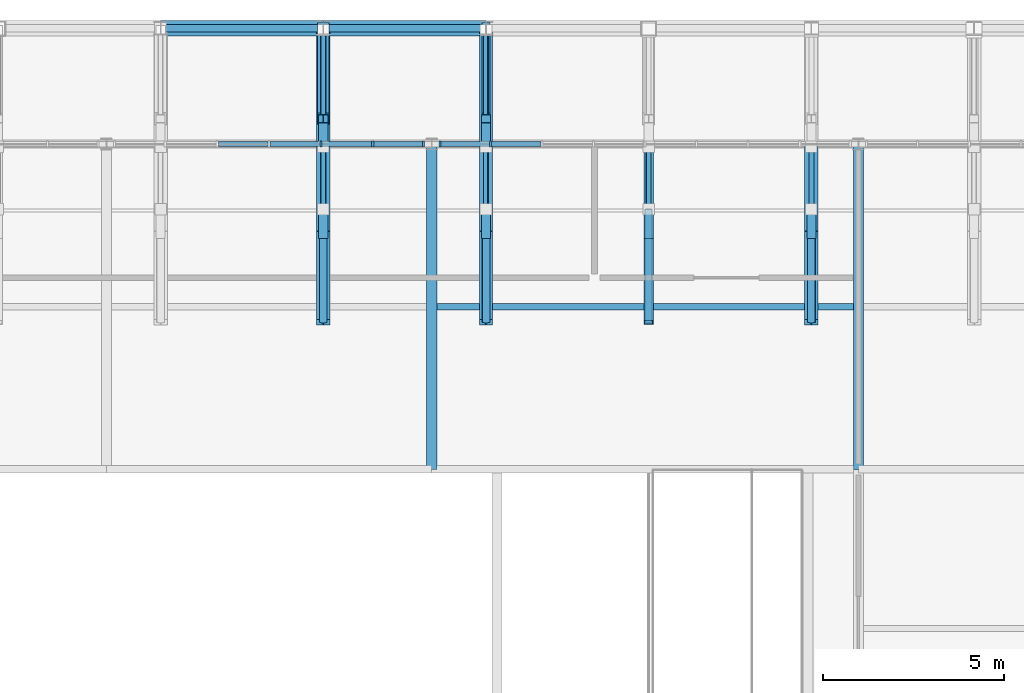
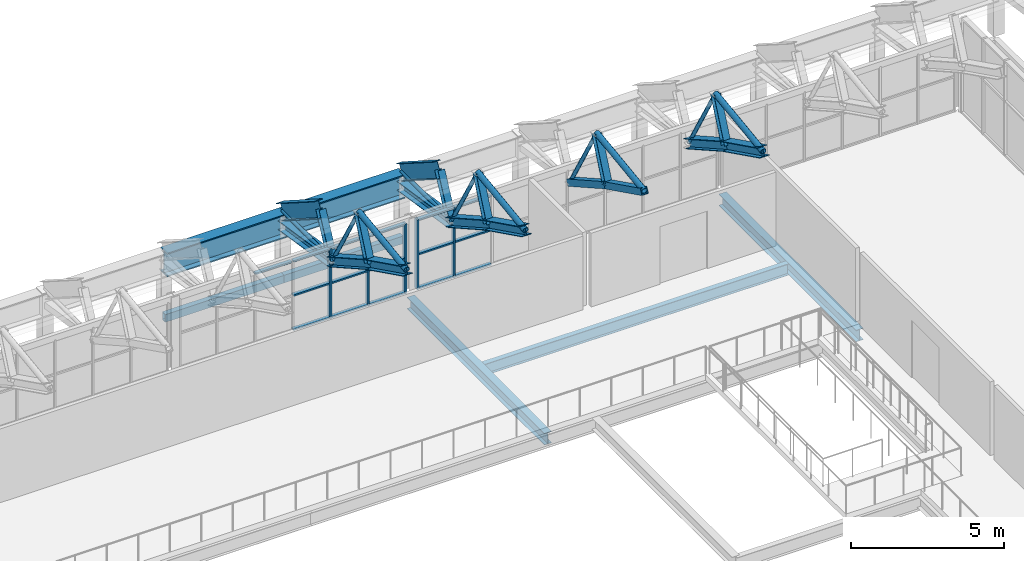
# One storey, part 85 of 134: 47 members, 9 beams, 2 elements without a shape of their own.
"""IFC4 building model written with IfcOpenShell, lengths in metres."""

from ifc_helpers import new_model, si_unit, direction, frame, origin, origin_2d, place, context, subcontext, project, spatial, rectangle, hollow_rectangle, hollow_circle, i_section, extrude, material, layer, layer_set, material_profile, profile_set, type_object, element, aggregate, save


model = new_model("IFC4")

# Units and contexts
model_context = context("Model", 3, precision=1e-05, world=origin(), true_north=direction((0.0, 1.0)))
body_context = subcontext(model_context, "Body", "Model", "MODEL_VIEW")
ifc_project = project(units=[si_unit("LENGTHUNIT", "METRE"), si_unit("AREAUNIT", "SQUARE_METRE"), si_unit("VOLUMEUNIT", "CUBIC_METRE"), si_unit("PLANEANGLEUNIT", "RADIAN"), si_unit("MASSUNIT", "GRAM", prefix="KILO")], contexts=[model_context])

# Site, building, storey
site_placement = place(None, origin())
site = spatial("IfcSite", under=ifc_project, at=site_placement, CompositionType="ELEMENT")
building_placement = place(site_placement, origin())
building = spatial("IfcBuilding", under=site, at=building_placement, Name="Cazmaro Siding Exhibition Halls", CompositionType="ELEMENT")
storey_placement = place(building_placement, frame((0.0, 0.0, 12.0)))
storey = spatial("IfcBuildingStorey", under=building, at=storey_placement, Name="L02", CompositionType="ELEMENT", Elevation=12.0)

# Beams
ifc_material_1 = material(Name="Steel ASTM A992 Grade 50", Category="steel")
ifc_material_profile_1 = material_profile(ifc_material_1, i_section(OverallWidth=0.324951171875, OverallDepth=0.612060546875, WebThickness=0.012939453125, FlangeThickness=0.01904296875, at=origin_2d()), Name="W24X104")
ifc_profile_set_1 = profile_set([ifc_material_profile_1], Name="Steel ASTM A992 Grade 50")
beam_type_1 = type_object("IfcBeamType", Name="AR-02", PredefinedType="USERDEFINED", material=ifc_profile_set_1)
beam_1_placement = place(storey_placement, frame((144.0, 121.5, 3.89306640625), z_axis=(0.0, 0.843339173298, -0.537381650954), x_axis=(-1.0, 0.0, 0.0)))
element("IfcBeam", 1, at=beam_1_placement, inside=storey, type_object=beam_type_1, Name="Space frame barrel vault arched rib AR-02 BM-1086", ObjectType="ARCHED RIB", PredefinedType="USERDEFINED", context=body_context, shape_type="SweptSolid", body=[
    extrude(i_section(OverallWidth=0.324951171875, OverallDepth=0.612060546875, WebThickness=0.012939453125, FlangeThickness=0.01904296875, at=origin_2d()), origin(), (0.0, 0.0, 1.0), 2.96435546875),
])
ifc_material_2 = material(Name="Steel ASTM A992 Grade 50", Category="steel")
ifc_material_profile_2 = material_profile(ifc_material_2, i_section(OverallWidth=0.22900390625, OverallDepth=0.612060546875, WebThickness=0.011962890625, FlangeThickness=0.02001953125, at=origin_2d()), Name="W24X84")
ifc_profile_set_2 = profile_set([ifc_material_profile_2], Name="Steel ASTM A992 Grade 50")
beam_type_2 = type_object("IfcBeamType", Name="AR-03", PredefinedType="USERDEFINED", material=ifc_profile_set_2)
beam_2_placement = place(storey_placement, frame((148.5, 121.5, 3.89306640625), z_axis=(0.0, 0.843339173298, -0.537381650954), x_axis=(-1.0, 0.0, 0.0)))
element("IfcBeam", 2, at=beam_2_placement, inside=storey, type_object=beam_type_2, Name="Space frame barrel vault arched rib AR-03 BM-1110", ObjectType="ARCHED RIB", PredefinedType="USERDEFINED", context=body_context, shape_type="SweptSolid", body=[
    extrude(i_section(OverallWidth=0.22900390625, OverallDepth=0.612060546875, WebThickness=0.011962890625, FlangeThickness=0.02001953125, at=origin_2d()), origin(), (0.0, 0.0, 1.0), 2.96435546875),
])
ifc_material_3 = material(Name="Steel ASTM A992 Grade 50", Category="steel")
ifc_material_profile_3 = material_profile(ifc_material_3, i_section(OverallWidth=0.279052734375, OverallDepth=0.4619140625, WebThickness=0.010986328125, FlangeThickness=0.01708984375, at=origin_2d()), Name="W18X76")
ifc_profile_set_3 = profile_set([ifc_material_profile_3], Name="Steel ASTM A992 Grade 50")
beam_type_3 = type_object("IfcBeamType", Name="B-03", PredefinedType="BEAM", material=ifc_profile_set_3)
for number, where, z_axis, x_axis, name in (
    (3, (147.0, 111.800048828125, -0.450927734375), (0.0, 1.0, 0.0), (-1.0, 0.0, 0.0), "Beam B-03 BM-0448"),
    (4, (158.800048828125, 111.800048828125, -0.450927734375), (0.0, 1.0, 0.0), (-1.0, 0.0, 0.0), "Beam B-03 BM-0449"),
):
    element("IfcBeam", number, at=place(storey_placement, frame(where, z_axis=z_axis, x_axis=x_axis)), inside=storey, type_object=beam_type_3, Name=name, PredefinedType="BEAM", context=body_context, shape_type="SweptSolid", body=[
        extrude(i_section(OverallWidth=0.279052734375, OverallDepth=0.4619140625, WebThickness=0.010986328125, FlangeThickness=0.01708984375, at=origin_2d()), origin(), (0.0, 0.0, 1.0), 9.0),
    ])

# Curtain wall, members
ifc_material_4 = material(Name="Anodized Bronze Aluminum and Solar-Control Low-E Glazing", Category="aluminium")
ifc_layer = layer(ifc_material_4, 0.159912109375)
ifc_layer_set = layer_set([ifc_layer], Name="Anodized Bronze Aluminum and Solar-Control Low-E Glazing")
curtain_wall_type = type_object("IfcCurtainWallType", Name="CWS-04", PredefinedType="USERDEFINED", material=ifc_layer_set)
curtain_wall_1_placement = place(storey_placement, origin())
curtain_wall_1 = element("IfcCurtainWall", 5, at=curtain_wall_1_placement, inside=storey, type_object=curtain_wall_type, Name="Clerestory Curtain Wall CWS-04 CW-042", ObjectType="CLERESTORY CURTAIN WALL", PredefinedType="USERDEFINED")
ifc_material_5 = material(Name="Anodized Bronze Extruded Aluminum", Category="aluminium")
ifc_material_profile_4 = material_profile(ifc_material_5, rectangle(XDim=0.159912109375, YDim=0.06005859375, at=origin_2d()), Name="CWM-04")
ifc_profile_set_4 = profile_set([ifc_material_profile_4], Name="Anodized Bronze Extruded Aluminum")
member_type_1 = type_object("IfcMemberType", Name="CWM-04", PredefinedType="MULLION", material=ifc_profile_set_4)
member_1_placement = place(storey_placement, frame((146.77294921875, 120.800048828125, 0.0), z_axis=(0.0, 0.0, 1.0), x_axis=(0.0, -1.0, 0.0)))
member_1 = element("IfcMember", 6, at=member_1_placement, type_object=member_type_1, Name="CWS-04 mullion 1", PredefinedType="MULLION", context=body_context, shape_type="SweptSolid", body=[
    extrude(rectangle(XDim=0.159912109375, YDim=0.06005859375, at=origin_2d()), origin(), (0.0, 0.0, 1.0), 2.800048828125),
])
member_2_placement = place(storey_placement, frame((145.36865234375, 120.800048828125, 0.0), z_axis=(0.0, 0.0, 1.0), x_axis=(0.0, -1.0, 0.0)))
member_2 = element("IfcMember", 7, at=member_2_placement, type_object=member_type_1, Name="CWS-04 mullion 2", PredefinedType="MULLION", context=body_context, shape_type="SweptSolid", body=[
    extrude(rectangle(XDim=0.159912109375, YDim=0.06005859375, at=origin_2d()), origin(), (0.0, 0.0, 1.0), 2.800048828125),
])
member_3_placement = place(storey_placement, frame((143.934326171875, 120.800048828125, 0.0), z_axis=(0.0, 0.0, 1.0), x_axis=(0.0, -1.0, 0.0)))
member_3 = element("IfcMember", 8, at=member_3_placement, type_object=member_type_1, Name="CWS-04 mullion 3", PredefinedType="MULLION", context=body_context, shape_type="SweptSolid", body=[
    extrude(rectangle(XDim=0.159912109375, YDim=0.06005859375, at=origin_2d()), origin(), (0.0, 0.0, 1.0), 2.800048828125),
])

curtain_wall_2_placement = place(storey_placement, origin())
curtain_wall_2 = element("IfcCurtainWall", 9, at=curtain_wall_2_placement, inside=storey, type_object=curtain_wall_type, Name="Clerestory Curtain Wall CWS-04 CW-047", ObjectType="CLERESTORY CURTAIN WALL", PredefinedType="USERDEFINED")
member_4_placement = place(storey_placement, frame((148.622802734375, 120.800048828125, 0.0), z_axis=(0.0, 0.0, 1.0), x_axis=(0.0, -1.0, 0.0)))
member_4 = element("IfcMember", 10, at=member_4_placement, type_object=member_type_1, Name="CWS-04 mullion 8", PredefinedType="MULLION", context=body_context, shape_type="SweptSolid", body=[
    extrude(rectangle(XDim=0.159912109375, YDim=0.06005859375, at=origin_2d()), origin(), (0.0, 0.0, 1.0), 2.800048828125),
])
member_5_placement = place(storey_placement, frame((147.22705078125, 120.800048828125, 0.0), z_axis=(0.0, 0.0, 1.0), x_axis=(0.0, -1.0, 0.0)))
member_5 = element("IfcMember", 11, at=member_5_placement, type_object=member_type_1, Name="CWS-04 mullion 9", PredefinedType="MULLION", context=body_context, shape_type="SweptSolid", body=[
    extrude(rectangle(XDim=0.159912109375, YDim=0.06005859375, at=origin_2d()), origin(), (0.0, 0.0, 1.0), 2.800048828125),
])

# Member
ifc_material_6 = material(Name="Anodized Bronze Extruded Aluminum", Category="aluminium")
ifc_material_profile_5 = material_profile(ifc_material_6, rectangle(XDim=0.139892578125, YDim=0.06005859375, at=origin_2d()), Name="CWT-04")
ifc_profile_set_5 = profile_set([ifc_material_profile_5], Name="Anodized Bronze Extruded Aluminum")
member_type_2 = type_object("IfcMemberType", Name="CWT-04", PredefinedType="MULLION", material=ifc_profile_set_5)
member_6_placement = place(storey_placement, frame((146.742919921875, 120.800048828125, 0.030029296875), z_axis=(-1.0, 0.0, 0.0), x_axis=(0.0, -1.0, 0.0)))
member_6 = element("IfcMember", 12, at=member_6_placement, type_object=member_type_2, Name="CWS-04 transom 1.1", ObjectType="TRANSOM", PredefinedType="USERDEFINED", context=body_context, shape_type="SweptSolid", body=[
    extrude(rectangle(XDim=0.139892578125, YDim=0.06005859375, at=origin_2d()), origin(), (0.0, 0.0, 1.0), 1.34423828125),
])

member_7_placement = place(storey_placement, frame((146.742919921875, 120.800048828125, 1.39990234375), z_axis=(-1.0, 0.0, 0.0), x_axis=(0.0, -1.0, 0.0)))
member_7 = element("IfcMember", 13, at=member_7_placement, type_object=member_type_2, Name="CWS-04 transom 1.2", ObjectType="TRANSOM", PredefinedType="USERDEFINED", context=body_context, shape_type="SweptSolid", body=[
    extrude(rectangle(XDim=0.139892578125, YDim=0.06005859375, at=origin_2d()), origin(), (0.0, 0.0, 1.0), 1.34423828125),
])

member_8_placement = place(storey_placement, frame((146.742919921875, 120.800048828125, 2.77001953125), z_axis=(-1.0, 0.0, 0.0), x_axis=(0.0, -1.0, 0.0)))
member_8 = element("IfcMember", 14, at=member_8_placement, type_object=member_type_2, Name="CWS-04 transom 1.3", ObjectType="TRANSOM", PredefinedType="USERDEFINED", context=body_context, shape_type="SweptSolid", body=[
    extrude(rectangle(XDim=0.139892578125, YDim=0.06005859375, at=origin_2d()), origin(), (0.0, 0.0, 1.0), 1.34423828125),
])

member_9_placement = place(storey_placement, frame((145.338623046875, 120.800048828125, 0.030029296875), z_axis=(-1.0, 0.0, 0.0), x_axis=(0.0, -1.0, 0.0)))
member_9 = element("IfcMember", 15, at=member_9_placement, type_object=member_type_2, Name="CWS-04 transom 2.1", ObjectType="TRANSOM", PredefinedType="USERDEFINED", context=body_context, shape_type="SweptSolid", body=[
    extrude(rectangle(XDim=0.139892578125, YDim=0.06005859375, at=origin_2d()), origin(), (0.0, 0.0, 1.0), 1.374267578125),
])

member_10_placement = place(storey_placement, frame((145.338623046875, 120.800048828125, 1.39990234375), z_axis=(-1.0, 0.0, 0.0), x_axis=(0.0, -1.0, 0.0)))
member_10 = element("IfcMember", 16, at=member_10_placement, type_object=member_type_2, Name="CWS-04 transom 2.2", ObjectType="TRANSOM", PredefinedType="USERDEFINED", context=body_context, shape_type="SweptSolid", body=[
    extrude(rectangle(XDim=0.139892578125, YDim=0.06005859375, at=origin_2d()), origin(), (0.0, 0.0, 1.0), 1.374267578125),
])

member_11_placement = place(storey_placement, frame((145.338623046875, 120.800048828125, 2.77001953125), z_axis=(-1.0, 0.0, 0.0), x_axis=(0.0, -1.0, 0.0)))
member_11 = element("IfcMember", 17, at=member_11_placement, type_object=member_type_2, Name="CWS-04 transom 2.3", ObjectType="TRANSOM", PredefinedType="USERDEFINED", context=body_context, shape_type="SweptSolid", body=[
    extrude(rectangle(XDim=0.139892578125, YDim=0.06005859375, at=origin_2d()), origin(), (0.0, 0.0, 1.0), 1.374267578125),
])

member_12_placement = place(storey_placement, frame((143.904296875, 120.800048828125, 0.030029296875), z_axis=(-1.0, 0.0, 0.0), x_axis=(0.0, -1.0, 0.0)))
member_12 = element("IfcMember", 18, at=member_12_placement, type_object=member_type_2, Name="CWS-04 transom 3.1", ObjectType="TRANSOM", PredefinedType="USERDEFINED", context=body_context, shape_type="SweptSolid", body=[
    extrude(rectangle(XDim=0.139892578125, YDim=0.06005859375, at=origin_2d()), origin(), (0.0, 0.0, 1.0), 1.374267578125),
])

member_13_placement = place(storey_placement, frame((143.904296875, 120.800048828125, 1.39990234375), z_axis=(-1.0, 0.0, 0.0), x_axis=(0.0, -1.0, 0.0)))
member_13 = element("IfcMember", 19, at=member_13_placement, type_object=member_type_2, Name="CWS-04 transom 3.2", ObjectType="TRANSOM", PredefinedType="USERDEFINED", context=body_context, shape_type="SweptSolid", body=[
    extrude(rectangle(XDim=0.139892578125, YDim=0.06005859375, at=origin_2d()), origin(), (0.0, 0.0, 1.0), 1.374267578125),
])

member_14_placement = place(storey_placement, frame((143.904296875, 120.800048828125, 2.77001953125), z_axis=(-1.0, 0.0, 0.0), x_axis=(0.0, -1.0, 0.0)))
member_14 = element("IfcMember", 20, at=member_14_placement, type_object=member_type_2, Name="CWS-04 transom 3.3", ObjectType="TRANSOM", PredefinedType="USERDEFINED", context=body_context, shape_type="SweptSolid", body=[
    extrude(rectangle(XDim=0.139892578125, YDim=0.06005859375, at=origin_2d()), origin(), (0.0, 0.0, 1.0), 1.374267578125),
])

member_15_placement = place(storey_placement, frame((142.469970703125, 120.800048828125, 2.77001953125), z_axis=(-1.0, 0.0, 0.0), x_axis=(0.0, -1.0, 0.0)))
member_15 = element("IfcMember", 21, at=member_15_placement, type_object=member_type_2, Name="CWS-04 transom 4.3", ObjectType="TRANSOM", PredefinedType="USERDEFINED", context=body_context, shape_type="SweptSolid", body=[
    extrude(rectangle(XDim=0.139892578125, YDim=0.06005859375, at=origin_2d()), origin(), (0.0, 0.0, 1.0), 1.374267578125),
])

aggregate(curtain_wall_1, [member_1, member_2, member_3, member_6, member_7, member_8, member_9, member_10, member_11, member_12, member_13, member_14, member_15])

member_16_placement = place(storey_placement, frame((150.0185546875, 120.800048828125, 0.030029296875), z_axis=(-1.0, 0.0, 0.0), x_axis=(0.0, -1.0, 0.0)))
member_16 = element("IfcMember", 22, at=member_16_placement, type_object=member_type_2, Name="CWS-04 transom 7.1", ObjectType="TRANSOM", PredefinedType="USERDEFINED", context=body_context, shape_type="SweptSolid", body=[
    extrude(rectangle(XDim=0.139892578125, YDim=0.06005859375, at=origin_2d()), origin(), (0.0, 0.0, 1.0), 1.36572265625),
])

member_17_placement = place(storey_placement, frame((150.0185546875, 120.800048828125, 1.39990234375), z_axis=(-1.0, 0.0, 0.0), x_axis=(0.0, -1.0, 0.0)))
member_17 = element("IfcMember", 23, at=member_17_placement, type_object=member_type_2, Name="CWS-04 transom 7.2", ObjectType="TRANSOM", PredefinedType="USERDEFINED", context=body_context, shape_type="SweptSolid", body=[
    extrude(rectangle(XDim=0.139892578125, YDim=0.06005859375, at=origin_2d()), origin(), (0.0, 0.0, 1.0), 1.36572265625),
])

member_18_placement = place(storey_placement, frame((150.0185546875, 120.800048828125, 2.77001953125), z_axis=(-1.0, 0.0, 0.0), x_axis=(0.0, -1.0, 0.0)))
member_18 = element("IfcMember", 24, at=member_18_placement, type_object=member_type_2, Name="CWS-04 transom 7.3", ObjectType="TRANSOM", PredefinedType="USERDEFINED", context=body_context, shape_type="SweptSolid", body=[
    extrude(rectangle(XDim=0.139892578125, YDim=0.06005859375, at=origin_2d()), origin(), (0.0, 0.0, 1.0), 1.36572265625),
])

member_19_placement = place(storey_placement, frame((148.5927734375, 120.800048828125, 0.030029296875), z_axis=(-1.0, 0.0, 0.0), x_axis=(0.0, -1.0, 0.0)))
member_19 = element("IfcMember", 25, at=member_19_placement, type_object=member_type_2, Name="CWS-04 transom 8.1", ObjectType="TRANSOM", PredefinedType="USERDEFINED", context=body_context, shape_type="SweptSolid", body=[
    extrude(rectangle(XDim=0.139892578125, YDim=0.06005859375, at=origin_2d()), origin(), (0.0, 0.0, 1.0), 1.335693359375),
])

member_20_placement = place(storey_placement, frame((148.5927734375, 120.800048828125, 1.39990234375), z_axis=(-1.0, 0.0, 0.0), x_axis=(0.0, -1.0, 0.0)))
member_20 = element("IfcMember", 26, at=member_20_placement, type_object=member_type_2, Name="CWS-04 transom 8.2", ObjectType="TRANSOM", PredefinedType="USERDEFINED", context=body_context, shape_type="SweptSolid", body=[
    extrude(rectangle(XDim=0.139892578125, YDim=0.06005859375, at=origin_2d()), origin(), (0.0, 0.0, 1.0), 1.335693359375),
])

member_21_placement = place(storey_placement, frame((148.5927734375, 120.800048828125, 2.77001953125), z_axis=(-1.0, 0.0, 0.0), x_axis=(0.0, -1.0, 0.0)))
member_21 = element("IfcMember", 27, at=member_21_placement, type_object=member_type_2, Name="CWS-04 transom 8.3", ObjectType="TRANSOM", PredefinedType="USERDEFINED", context=body_context, shape_type="SweptSolid", body=[
    extrude(rectangle(XDim=0.139892578125, YDim=0.06005859375, at=origin_2d()), origin(), (0.0, 0.0, 1.0), 1.335693359375),
])

aggregate(curtain_wall_2, [member_4, member_5, member_16, member_17, member_18, member_19, member_20, member_21])

# Beams
ifc_material_7 = material(Name="Steel ASTM A992 Grade 50", Category="steel")
ifc_material_profile_6 = material_profile(ifc_material_7, i_section(OverallWidth=0.424072265625, OverallDepth=0.947021484375, WebThickness=0.02392578125, FlangeThickness=0.04296875, at=origin_2d()), Name="W36X302")
ifc_profile_set_6 = profile_set([ifc_material_profile_6], Name="Steel ASTM A992 Grade 50")
beam_type_4 = type_object("IfcBeamType", Name="G-01", PredefinedType="USERDEFINED", material=ifc_profile_set_6)
for number, where, z_axis, x_axis, name in (
    (28, (139.5, 124.0, 1.826904296875), (1.0, 0.0, 0.0), (0.0, 1.0, 0.0), "Beam G-01 BM-0192"),
    (29, (144.0, 124.0, 1.826904296875), (1.0, 0.0, 0.0), (0.0, 1.0, 0.0), "Beam G-01 BM-0198"),
):
    element("IfcBeam", number, at=place(storey_placement, frame(where, z_axis=z_axis, x_axis=x_axis)), inside=storey, type_object=beam_type_4, Name=name, ObjectType="GIRDER", PredefinedType="USERDEFINED", context=body_context, shape_type="SweptSolid", body=[
        extrude(i_section(OverallWidth=0.424072265625, OverallDepth=0.947021484375, WebThickness=0.02392578125, FlangeThickness=0.04296875, at=origin_2d()), origin(), (0.0, 0.0, 1.0), 4.5),
    ])
ifc_material_8 = material(Name="Steel ASTM A992 Grade 50", Category="steel")
ifc_material_profile_7 = material_profile(ifc_material_8, i_section(OverallWidth=0.19091796875, OverallDepth=0.45703125, WebThickness=0.009033203125, FlangeThickness=0.013916015625, at=origin_2d()), Name="W18X50")
ifc_profile_set_7 = profile_set([ifc_material_profile_7], Name="Steel ASTM A992 Grade 50")
beam_type_5 = type_object("IfcBeamType", Name="J-01", PredefinedType="JOIST", material=ifc_profile_set_7)
beam_3_placement = place(storey_placement, frame((147.139892578125, 116.300048828125, -0.448974609375), z_axis=(1.0, 0.0, 0.0), x_axis=(0.0, 1.0, 0.0)))
element("IfcBeam", 30, at=beam_3_placement, inside=storey, type_object=beam_type_5, Name="Beam J-01 BM-0433", PredefinedType="JOIST", context=body_context, shape_type="SweptSolid", body=[
    extrude(i_section(OverallWidth=0.19091796875, OverallDepth=0.45703125, WebThickness=0.009033203125, FlangeThickness=0.013916015625, at=origin_2d()), origin(), (0.0, 0.0, 1.0), 11.52001953125),
])
ifc_material_9 = material(Name="Steel ASTM A500 Grade C", Category="steel")
ifc_material_profile_8 = material_profile(ifc_material_9, hollow_rectangle(XDim=0.202880859375, YDim=0.304931640625, WallThickness=0.011962890625, at=origin_2d()), Name="HSS12X8X1/2")
ifc_profile_set_8 = profile_set([ifc_material_profile_8], Name="Steel ASTM A500 Grade C")
beam_type_6 = type_object("IfcBeamType", Name="SP-01", PredefinedType="SPANDREL", material=ifc_profile_set_8)
for number, where, z_axis, x_axis, name in (
    (31, (139.5, 124.0, -0.373046875), (1.0, 0.0, 0.0), (0.0, 1.0, 0.0), "Beam SP-01 BM-0191"),
    (32, (144.0, 124.0, -0.373046875), (1.0, 0.0, 0.0), (0.0, 1.0, 0.0), "Beam SP-01 BM-0197"),
):
    element("IfcBeam", number, at=place(storey_placement, frame(where, z_axis=z_axis, x_axis=x_axis)), inside=storey, type_object=beam_type_6, Name=name, PredefinedType="SPANDREL", context=body_context, shape_type="SweptSolid", body=[
        extrude(hollow_rectangle(XDim=0.202880859375, YDim=0.304931640625, WallThickness=0.011962890625, at=origin_2d()), origin(), (0.0, 0.0, 1.0), 4.5),
    ])

# Members
ifc_material_10 = material(Name="Steel ASTM A500 Grade C", Category="steel")
ifc_material_profile_9 = material_profile(ifc_material_10, hollow_rectangle(XDim=0.25390625, YDim=0.25390625, WallThickness=0.014892578125, at=origin_2d()), Name="HSS10X10X5/8")
ifc_profile_set_9 = profile_set([ifc_material_profile_9], Name="Steel ASTM A500 Grade C")
member_type_3 = type_object("IfcMemberType", Name="TC-01", PredefinedType="CHORD", material=ifc_profile_set_9)
member_22_placement = place(storey_placement, frame((153.0, 115.868896484375, 4.87890625), z_axis=(0.0, 0.896077457924, -0.443897724033), x_axis=(-1.0, 0.0, 0.0)))
element("IfcMember", 33, at=member_22_placement, inside=storey, type_object=member_type_3, Name="Space frame barrel vault bottom chord TC-01 MEM-1699", PredefinedType="CHORD", context=body_context, shape_type="SweptSolid", body=[
    extrude(hollow_rectangle(XDim=0.25390625, YDim=0.25390625, WallThickness=0.014892578125, at=origin_2d()), origin(), (0.0, 0.0, 1.0), 2.7119140625),
])
member_23_placement = place(storey_placement, frame((153.0, 118.299072265625, 3.675048828125), z_axis=(0.0, 0.871222319466, -0.490888653428), x_axis=(-1.0, 0.0, 0.0)))
element("IfcMember", 34, at=member_23_placement, inside=storey, type_object=member_type_3, Name="Space frame barrel vault bottom chord TC-01 MEM-1701", PredefinedType="CHORD", context=body_context, shape_type="SweptSolid", body=[
    extrude(hollow_rectangle(XDim=0.25390625, YDim=0.25390625, WallThickness=0.014892578125, at=origin_2d()), origin(), (0.0, 0.0, 1.0), 2.7890625),
])
ifc_material_11 = material(Name="Steel ASTM A992 Grade 50", Category="steel")
ifc_material_profile_10 = material_profile(ifc_material_11, i_section(OverallWidth=0.37109375, OverallDepth=0.364013671875, WebThickness=0.012939453125, FlangeThickness=0.02197265625, at=origin_2d()), Name="W14X109")
ifc_profile_set_10 = profile_set([ifc_material_profile_10], Name="Steel ASTM A992 Grade 50")
member_type_4 = type_object("IfcMemberType", Name="TC-06", PredefinedType="CHORD", material=ifc_profile_set_10)
member_24_placement = place(storey_placement, frame((144.0, 115.868896484375, 4.87890625), z_axis=(0.0, 0.896077457924, -0.443897724033), x_axis=(-1.0, 0.0, 0.0)))
element("IfcMember", 35, at=member_24_placement, inside=storey, type_object=member_type_4, Name="Space frame barrel vault bottom chord TC-06 MEM-1557", PredefinedType="CHORD", context=body_context, shape_type="SweptSolid", body=[
    extrude(i_section(OverallWidth=0.37109375, OverallDepth=0.364013671875, WebThickness=0.012939453125, FlangeThickness=0.02197265625, at=origin_2d()), origin(), (0.0, 0.0, 1.0), 2.7119140625),
])
member_25_placement = place(storey_placement, frame((144.0, 118.299072265625, 3.675048828125), z_axis=(0.0, 0.871222319466, -0.490888653428), x_axis=(-1.0, 0.0, 0.0)))
element("IfcMember", 36, at=member_25_placement, inside=storey, type_object=member_type_4, Name="Space frame barrel vault bottom chord TC-06 MEM-1559", PredefinedType="CHORD", context=body_context, shape_type="SweptSolid", body=[
    extrude(i_section(OverallWidth=0.37109375, OverallDepth=0.364013671875, WebThickness=0.012939453125, FlangeThickness=0.02197265625, at=origin_2d()), origin(), (0.0, 0.0, 1.0), 2.7890625),
])
member_26_placement = place(storey_placement, frame((144.0, 120.72900390625, 2.305908203125), z_axis=(0.0, 0.988252010809, -0.152833121839), x_axis=(-1.0, 0.0, 0.0)))
element("IfcMember", 37, at=member_26_placement, inside=storey, type_object=member_type_4, Name="Space frame barrel vault bottom chord TC-06 MEM-1561", PredefinedType="CHORD", context=body_context, shape_type="SweptSolid", body=[
    extrude(i_section(OverallWidth=0.37109375, OverallDepth=0.364013671875, WebThickness=0.012939453125, FlangeThickness=0.02197265625, at=origin_2d()), origin(), (0.0, 0.0, 1.0), 3.309814453125),
])
member_27_placement = place(storey_placement, frame((148.5, 115.868896484375, 4.87890625), z_axis=(0.0, 0.896077457924, -0.443897724033), x_axis=(-1.0, 0.0, 0.0)))
element("IfcMember", 38, at=member_27_placement, inside=storey, type_object=member_type_4, Name="Space frame barrel vault bottom chord TC-06 MEM-1628", PredefinedType="CHORD", context=body_context, shape_type="SweptSolid", body=[
    extrude(i_section(OverallWidth=0.37109375, OverallDepth=0.364013671875, WebThickness=0.012939453125, FlangeThickness=0.02197265625, at=origin_2d()), origin(), (0.0, 0.0, 1.0), 2.7119140625),
])
member_28_placement = place(storey_placement, frame((148.5, 118.299072265625, 3.675048828125), z_axis=(0.0, 0.871222319466, -0.490888653428), x_axis=(-1.0, 0.0, 0.0)))
element("IfcMember", 39, at=member_28_placement, inside=storey, type_object=member_type_4, Name="Space frame barrel vault bottom chord TC-06 MEM-1630", PredefinedType="CHORD", context=body_context, shape_type="SweptSolid", body=[
    extrude(i_section(OverallWidth=0.37109375, OverallDepth=0.364013671875, WebThickness=0.012939453125, FlangeThickness=0.02197265625, at=origin_2d()), origin(), (0.0, 0.0, 1.0), 2.7890625),
])
member_29_placement = place(storey_placement, frame((148.5, 120.72900390625, 2.305908203125), z_axis=(0.0, 0.988252010809, -0.152833121839), x_axis=(-1.0, 0.0, 0.0)))
element("IfcMember", 40, at=member_29_placement, inside=storey, type_object=member_type_4, Name="Space frame barrel vault bottom chord TC-06 MEM-1632", PredefinedType="CHORD", context=body_context, shape_type="SweptSolid", body=[
    extrude(i_section(OverallWidth=0.37109375, OverallDepth=0.364013671875, WebThickness=0.012939453125, FlangeThickness=0.02197265625, at=origin_2d()), origin(), (0.0, 0.0, 1.0), 3.309814453125),
])
member_30_placement = place(storey_placement, frame((157.5, 115.868896484375, 4.87890625), z_axis=(0.0, 0.896077457924, -0.443897724033), x_axis=(-1.0, 0.0, 0.0)))
element("IfcMember", 41, at=member_30_placement, inside=storey, type_object=member_type_4, Name="Space frame barrel vault bottom chord TC-06 MEM-1770", PredefinedType="CHORD", context=body_context, shape_type="SweptSolid", body=[
    extrude(i_section(OverallWidth=0.37109375, OverallDepth=0.364013671875, WebThickness=0.012939453125, FlangeThickness=0.02197265625, at=origin_2d()), origin(), (0.0, 0.0, 1.0), 2.7119140625),
])
member_31_placement = place(storey_placement, frame((157.5, 118.299072265625, 3.675048828125), z_axis=(0.0, 0.871222319466, -0.490888653428), x_axis=(-1.0, 0.0, 0.0)))
element("IfcMember", 42, at=member_31_placement, inside=storey, type_object=member_type_4, Name="Space frame barrel vault bottom chord TC-06 MEM-1772", PredefinedType="CHORD", context=body_context, shape_type="SweptSolid", body=[
    extrude(i_section(OverallWidth=0.37109375, OverallDepth=0.364013671875, WebThickness=0.012939453125, FlangeThickness=0.02197265625, at=origin_2d()), origin(), (0.0, 0.0, 1.0), 2.7890625),
])
ifc_material_12 = material(Name="Steel ASTM A992 Grade 50", Category="steel")
ifc_material_profile_11 = material_profile(ifc_material_12, i_section(OverallWidth=0.25390625, OverallDepth=0.25390625, WebThickness=0.009033203125, FlangeThickness=0.013916015625, at=origin_2d()), Name="W10X49")
ifc_profile_set_11 = profile_set([ifc_material_profile_11], Name="Steel ASTM A992 Grade 50")
member_type_5 = type_object("IfcMemberType", Name="TP-04", PredefinedType="POST", material=ifc_profile_set_11)
member_32_placement = place(storey_placement, frame((144.0, 118.299072265625, 3.675048828125), z_axis=(0.0, 0.395865434272, 0.918308530913), x_axis=(-1.0, 0.0, 0.0)))
element("IfcMember", 43, at=member_32_placement, inside=storey, type_object=member_type_5, Name="Space frame barrel vault post TP-04 MEM-1584", PredefinedType="POST", context=body_context, shape_type="SweptSolid", body=[
    extrude(i_section(OverallWidth=0.25390625, OverallDepth=0.25390625, WebThickness=0.009033203125, FlangeThickness=0.013916015625, at=origin_2d()), origin(), (0.0, 0.0, 1.0), 1.7705078125),
])
member_33_placement = place(storey_placement, frame((144.0, 120.72900390625, 2.305908203125), z_axis=(0.0, 0.436945543824, 0.89948796086), x_axis=(-1.0, 0.0, 0.0)))
element("IfcMember", 44, at=member_33_placement, inside=storey, type_object=member_type_5, Name="Space frame barrel vault post TP-04 MEM-1585", PredefinedType="POST", context=body_context, shape_type="SweptSolid", body=[
    extrude(i_section(OverallWidth=0.25390625, OverallDepth=0.25390625, WebThickness=0.009033203125, FlangeThickness=0.013916015625, at=origin_2d()), origin(), (0.0, 0.0, 1.0), 1.764404296875),
])
member_34_placement = place(storey_placement, frame((148.5, 118.299072265625, 3.675048828125), z_axis=(0.0, 0.395865434272, 0.918308530913), x_axis=(-1.0, 0.0, 0.0)))
element("IfcMember", 45, at=member_34_placement, inside=storey, type_object=member_type_5, Name="Space frame barrel vault post TP-04 MEM-1655", PredefinedType="POST", context=body_context, shape_type="SweptSolid", body=[
    extrude(i_section(OverallWidth=0.25390625, OverallDepth=0.25390625, WebThickness=0.009033203125, FlangeThickness=0.013916015625, at=origin_2d()), origin(), (0.0, 0.0, 1.0), 1.7705078125),
])
member_35_placement = place(storey_placement, frame((148.5, 120.72900390625, 2.305908203125), z_axis=(0.0, 0.436945543824, 0.89948796086), x_axis=(-1.0, 0.0, 0.0)))
element("IfcMember", 46, at=member_35_placement, inside=storey, type_object=member_type_5, Name="Space frame barrel vault post TP-04 MEM-1656", PredefinedType="POST", context=body_context, shape_type="SweptSolid", body=[
    extrude(i_section(OverallWidth=0.25390625, OverallDepth=0.25390625, WebThickness=0.009033203125, FlangeThickness=0.013916015625, at=origin_2d()), origin(), (0.0, 0.0, 1.0), 1.764404296875),
])
for number, where, z_axis, x_axis, name in (
    (47, (153.0, 118.299072265625, 3.675048828125), (0.0, 0.395865434272, 0.918308530913), (-1.0, 0.0, 0.0), "Space frame barrel vault post TP-04 MEM-1726"),
    (48, (157.5, 118.299072265625, 3.675048828125), (0.0, 0.395865434272, 0.918308530913), (-1.0, 0.0, 0.0), "Space frame barrel vault post TP-04 MEM-1797"),
):
    element("IfcMember", number, at=place(storey_placement, frame(where, z_axis=z_axis, x_axis=x_axis)), inside=storey, type_object=member_type_5, Name=name, PredefinedType="POST", context=body_context, shape_type="SweptSolid", body=[
        extrude(i_section(OverallWidth=0.25390625, OverallDepth=0.25390625, WebThickness=0.009033203125, FlangeThickness=0.013916015625, at=origin_2d()), origin(), (0.0, 0.0, 1.0), 1.7705078125),
    ])
ifc_material_13 = material(Name="Steel ASTM A500 Grade C", Category="steel")
ifc_material_profile_12 = material_profile(ifc_material_13, hollow_circle(Radius=0.109619140625, WallThickness=0.012939453125, at=origin_2d()), Name="PIPE8XS")
ifc_profile_set_12 = profile_set([ifc_material_profile_12], Name="Steel ASTM A500 Grade C")
member_type_6 = type_object("IfcMemberType", Name="WB-01", PredefinedType="BRACE", material=ifc_profile_set_12)
for number, where, z_axis, x_axis, name in (
    (49, (144.0, 115.868896484375, 4.87890625), (0.0, 0.991034510477, 0.133606134005), (-1.0, 0.0, 0.0), "Space frame barrel vault diagonal WB-01 MEM-1558"),
    (50, (148.5, 115.868896484375, 4.87890625), (0.0, 0.991034510477, 0.133606134005), (-1.0, 0.0, 0.0), "Space frame barrel vault diagonal WB-01 MEM-1629"),
    (51, (153.0, 115.868896484375, 4.87890625), (0.0, 0.991034510477, 0.133606134005), (-1.0, 0.0, 0.0), "Space frame barrel vault diagonal WB-01 MEM-1700"),
    (52, (157.5, 115.868896484375, 4.87890625), (0.0, 0.991034510477, 0.133606134005), (-1.0, 0.0, 0.0), "Space frame barrel vault diagonal WB-01 MEM-1771"),
):
    element("IfcMember", number, at=place(storey_placement, frame(where, z_axis=z_axis, x_axis=x_axis)), inside=storey, type_object=member_type_6, Name=name, PredefinedType="BRACE", context=body_context, shape_type="SweptSolid", body=[
        extrude(hollow_circle(Radius=0.109619140625, WallThickness=0.012939453125, at=origin_2d()), origin(), (0.0, 0.0, 1.0), 3.159423828125),
    ])
ifc_material_14 = material(Name="Steel ASTM A500 Grade C", Category="steel")
ifc_material_profile_13 = material_profile(ifc_material_14, hollow_circle(Radius=0.070556640625, WallThickness=0.01904296875, at=origin_2d()), Name="PIPE5XXS")
ifc_profile_set_13 = profile_set([ifc_material_profile_13], Name="Steel ASTM A500 Grade C")
member_type_7 = type_object("IfcMemberType", Name="WB-07", PredefinedType="BRACE", material=ifc_profile_set_13)
member_36_placement = place(storey_placement, frame((144.0, 119.0, 5.301025390625), z_axis=(0.0, 0.499950595228, -0.866053925764), x_axis=(-1.0, 0.0, 0.0)))
element("IfcMember", 53, at=member_36_placement, inside=storey, type_object=member_type_7, Name="Space frame barrel vault diagonal WB-07 MEM-1560", PredefinedType="BRACE", context=body_context, shape_type="SweptSolid", body=[
    extrude(hollow_circle(Radius=0.070556640625, WallThickness=0.01904296875, at=origin_2d()), origin(), (0.0, 0.0, 1.0), 3.458251953125),
])
member_37_placement = place(storey_placement, frame((144.0, 120.72900390625, 2.305908203125), z_axis=(0.0, 0.999998395604, -0.001791309262), x_axis=(-1.0, 0.0, 0.0)))
element("IfcMember", 54, at=member_37_placement, inside=storey, type_object=member_type_7, Name="Space frame barrel vault diagonal WB-07 MEM-1562", PredefinedType="BRACE", context=body_context, shape_type="SweptSolid", body=[
    extrude(hollow_circle(Radius=0.070556640625, WallThickness=0.01904296875, at=origin_2d()), origin(), (0.0, 0.0, 1.0), 3.27099609375),
])
member_38_placement = place(storey_placement, frame((148.5, 119.0, 5.301025390625), z_axis=(0.0, 0.499950595228, -0.866053925764), x_axis=(-1.0, 0.0, 0.0)))
element("IfcMember", 55, at=member_38_placement, inside=storey, type_object=member_type_7, Name="Space frame barrel vault diagonal WB-07 MEM-1631", PredefinedType="BRACE", context=body_context, shape_type="SweptSolid", body=[
    extrude(hollow_circle(Radius=0.070556640625, WallThickness=0.01904296875, at=origin_2d()), origin(), (0.0, 0.0, 1.0), 3.458251953125),
])
member_39_placement = place(storey_placement, frame((148.5, 120.72900390625, 2.305908203125), z_axis=(0.0, 0.999998395604, -0.001791309262), x_axis=(-1.0, 0.0, 0.0)))
element("IfcMember", 56, at=member_39_placement, inside=storey, type_object=member_type_7, Name="Space frame barrel vault diagonal WB-07 MEM-1633", PredefinedType="BRACE", context=body_context, shape_type="SweptSolid", body=[
    extrude(hollow_circle(Radius=0.070556640625, WallThickness=0.01904296875, at=origin_2d()), origin(), (0.0, 0.0, 1.0), 3.27099609375),
])
for number, where, z_axis, x_axis, name in (
    (57, (153.0, 119.0, 5.301025390625), (0.0, 0.499950595228, -0.866053925764), (-1.0, 0.0, 0.0), "Space frame barrel vault diagonal WB-07 MEM-1702"),
    (58, (157.5, 119.0, 5.301025390625), (0.0, 0.499950595228, -0.866053925764), (-1.0, 0.0, 0.0), "Space frame barrel vault diagonal WB-07 MEM-1773"),
):
    element("IfcMember", number, at=place(storey_placement, frame(where, z_axis=z_axis, x_axis=x_axis)), inside=storey, type_object=member_type_7, Name=name, PredefinedType="BRACE", context=body_context, shape_type="SweptSolid", body=[
        extrude(hollow_circle(Radius=0.070556640625, WallThickness=0.01904296875, at=origin_2d()), origin(), (0.0, 0.0, 1.0), 3.458251953125),
    ])

save(model, "model.ifc")
